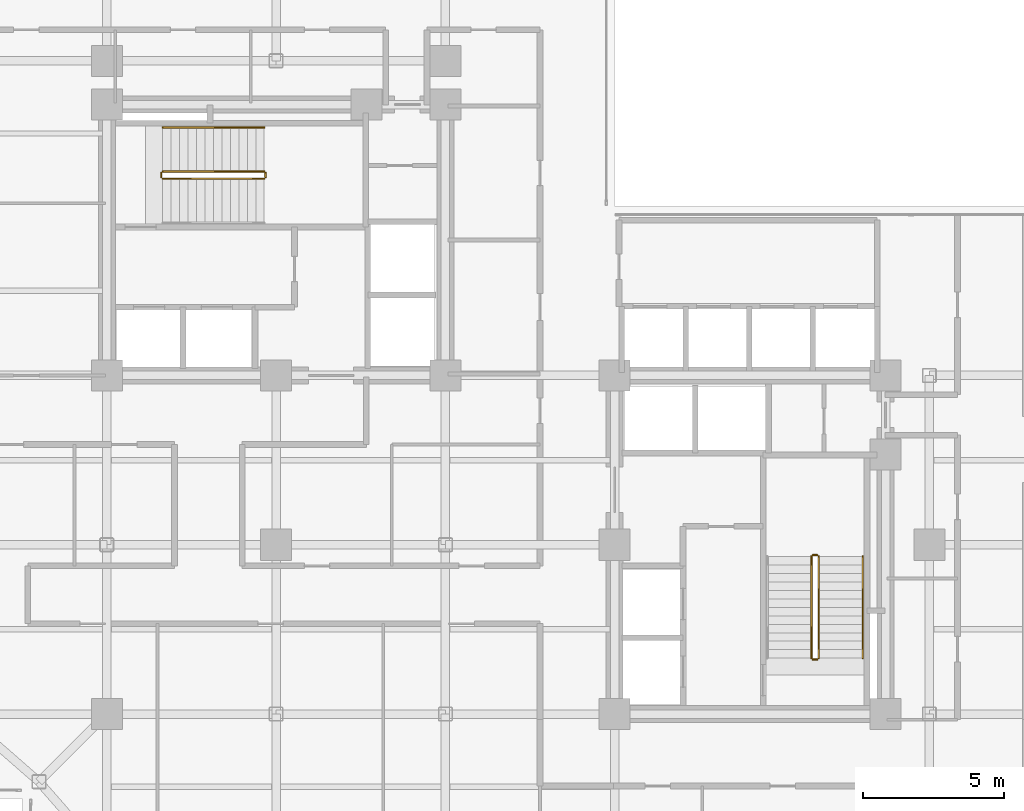
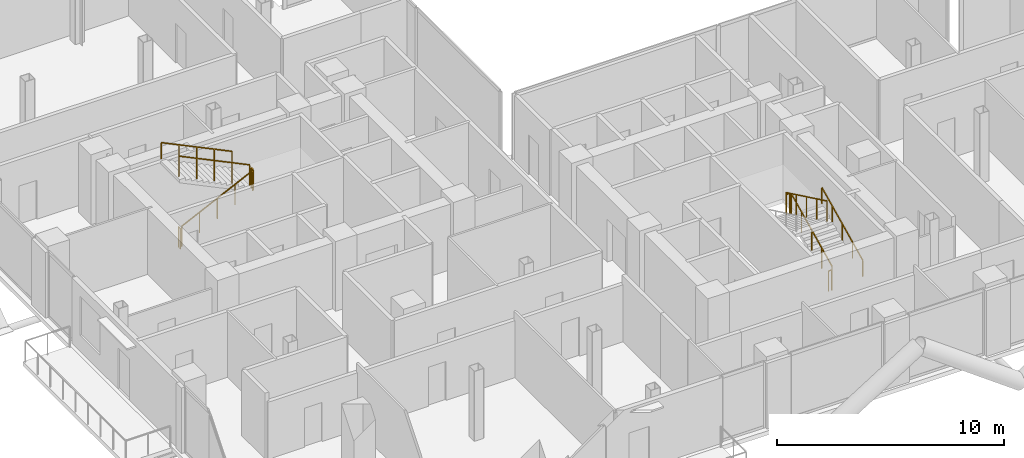
# One storey, part 24 of 24: 10 railings.
"""IFC4 building model written with IfcOpenShell, lengths in metres."""

from ifc_helpers import new_model, si_unit, direction, frame, origin, origin_2d, place, context, subcontext, project, spatial, rectangle, extrude, material, type_object, element, save


model = new_model("IFC4")

# Units and contexts
model_context = context("Model", 3, precision=1e-05, world=origin(), true_north=direction((0.0, 1.0)))
body_context = subcontext(model_context, "Body", "Model", "MODEL_VIEW")
ifc_project = project(units=[si_unit("LENGTHUNIT", "METRE"), si_unit("AREAUNIT", "SQUARE_METRE"), si_unit("VOLUMEUNIT", "CUBIC_METRE"), si_unit("PLANEANGLEUNIT", "RADIAN"), si_unit("MASSUNIT", "GRAM", prefix="KILO"), si_unit("THERMODYNAMICTEMPERATUREUNIT", "KELVIN"), si_unit("POWERUNIT", "WATT")], contexts=[model_context])

# Site, building, storey
site_placement = place(None, origin())
site = spatial("IfcSite", under=ifc_project, at=site_placement, CompositionType="ELEMENT")
building_placement = place(site_placement, origin())
building = spatial("IfcBuilding", under=site, at=building_placement, Name="Svarakhadi Broadcast Tower", CompositionType="ELEMENT")
storey_placement = place(building_placement, frame((0.0, 0.0, 145.64990234375)))
storey = spatial("IfcBuildingStorey", under=building, at=storey_placement, Name="L35", CompositionType="ELEMENT", Elevation=145.64990234375)

# Railings
ifc_material = material(Name="Anodised Bronze Aluminium AA 6063-T6", Category="aluminium")
railing_type_1 = type_object("IfcRailingType", Name="Guard_Stair_GR01", PredefinedType="GUARDRAIL", material=ifc_material)
railing_1_placement = place(storey_placement, frame((7.97998046875, 24.969970703125, 0.144287109375)))
element("IfcRailing", 1, at=railing_1_placement, inside=storey, type_object=railing_type_1, Name="L35 ST-01 stair guard 1", PredefinedType="GUARDRAIL", context=body_context, shape_type="SweptSolid", body=[
    extrude(rectangle(XDim=0.048095703125, YDim=0.048095703125, at=origin_2d()), frame((0.0, 0.0, 1.09619140625), z_axis=(0.901262522062, 0.0, 0.433273431364), x_axis=(0.0, 1.0, 0.0)), (0.0, 0.0, 1.0), 3.994384765625),
    extrude(rectangle(XDim=0.0419921875, YDim=0.0419921875, at=origin_2d()), origin(), (0.0, 0.0, 1.0), 1.072021484375),
    extrude(rectangle(XDim=0.0419921875, YDim=0.0419921875, at=origin_2d()), frame((0.89990234375, 0.0, 0.4326171875)), (0.0, 0.0, 1.0), 1.072021484375),
    extrude(rectangle(XDim=0.0419921875, YDim=0.0419921875, at=origin_2d()), frame((1.800048828125, 0.0, 0.865234375)), (0.0, 0.0, 1.0), 1.072021484375),
    extrude(rectangle(XDim=0.0419921875, YDim=0.0419921875, at=origin_2d()), frame((2.7001953125, 0.0, 1.298095703125)), (0.0, 0.0, 1.0), 1.072021484375),
    extrude(rectangle(XDim=0.0419921875, YDim=0.0419921875, at=origin_2d()), frame((3.60009765625, 0.0, 1.730712890625)), (0.0, 0.0, 1.0), 1.072021484375),
])
railing_2_placement = place(storey_placement, frame((11.6298828125, 25.02001953125, 1.875)))
element("IfcRailing", 2, at=railing_2_placement, inside=storey, type_object=railing_type_1, Name="L35 ST-01 stair guard 2", PredefinedType="GUARDRAIL", context=body_context, shape_type="SweptSolid", body=[
    extrude(rectangle(XDim=0.048095703125, YDim=0.048095703125, at=origin_2d()), frame((0.0, 0.0, 1.09619140625), z_axis=(0.0, 1.0, 0.0), x_axis=(-1.0, 0.0, 0.0)), (0.0, 0.0, 1.0), 0.159912109375),
    extrude(rectangle(XDim=0.0419921875, YDim=0.0419921875, at=origin_2d()), origin(), (0.0, 0.0, 1.0), 1.072021484375),
    extrude(rectangle(XDim=0.0419921875, YDim=0.0419921875, at=origin_2d()), frame((0.0, 0.159912109375, 0.0)), (0.0, 0.0, 1.0), 1.072021484375),
])
railing_3_placement = place(storey_placement, frame((11.580078125, 25.22998046875, 2.019287109375)))
element("IfcRailing", 3, at=railing_3_placement, inside=storey, type_object=railing_type_1, Name="L35 ST-01 stair guard 3", PredefinedType="GUARDRAIL", context=body_context, shape_type="SweptSolid", body=[
    extrude(rectangle(XDim=0.048095703125, YDim=0.048095703125, at=origin_2d()), frame((0.0, 0.0, 1.09619140625), z_axis=(-0.901262522062, 0.0, 0.433273431364), x_axis=(0.0, -1.0, 0.0)), (0.0, 0.0, 1.0), 3.994384765625),
    extrude(rectangle(XDim=0.0419921875, YDim=0.0419921875, at=origin_2d()), origin(), (0.0, 0.0, 1.0), 1.072021484375),
    extrude(rectangle(XDim=0.0419921875, YDim=0.0419921875, at=origin_2d()), frame((-0.89990234375, 0.0, 0.4326171875)), (0.0, 0.0, 1.0), 1.072021484375),
    extrude(rectangle(XDim=0.0419921875, YDim=0.0419921875, at=origin_2d()), frame((-1.800048828125, 0.0, 0.865234375)), (0.0, 0.0, 1.0), 1.072021484375),
    extrude(rectangle(XDim=0.0419921875, YDim=0.0419921875, at=origin_2d()), frame((-2.7001953125, 0.0, 1.298095703125)), (0.0, 0.0, 1.0), 1.072021484375),
    extrude(rectangle(XDim=0.0419921875, YDim=0.0419921875, at=origin_2d()), frame((-3.60009765625, 0.0, 1.730712890625)), (0.0, 0.0, 1.0), 1.072021484375),
])
railing_4_placement = place(storey_placement, frame((7.929931640625, 25.02001953125, 0.0)))
element("IfcRailing", 4, at=railing_4_placement, inside=storey, type_object=railing_type_1, Name="L35 ST-01 stair guard 4", PredefinedType="GUARDRAIL", context=body_context, shape_type="SweptSolid", body=[
    extrude(rectangle(XDim=0.048095703125, YDim=0.048095703125, at=origin_2d()), frame((0.0, 0.0, 1.09619140625), z_axis=(0.0, 1.0, 0.0), x_axis=(-1.0, 0.0, 0.0)), (0.0, 0.0, 1.0), 0.159912109375),
    extrude(rectangle(XDim=0.0419921875, YDim=0.0419921875, at=origin_2d()), origin(), (0.0, 0.0, 1.0), 1.072021484375),
    extrude(rectangle(XDim=0.0419921875, YDim=0.0419921875, at=origin_2d()), frame((0.0, 0.159912109375, 0.0)), (0.0, 0.0, 1.0), 1.072021484375),
])
railing_5_placement = place(storey_placement, frame((31.22998046875, 7.97998046875, 0.144287109375)))
element("IfcRailing", 5, at=railing_5_placement, inside=storey, type_object=railing_type_1, Name="L35 ST-02 stair guard 1", PredefinedType="GUARDRAIL", context=body_context, shape_type="SweptSolid", body=[
    extrude(rectangle(XDim=0.048095703125, YDim=0.048095703125, at=origin_2d()), frame((0.0, 0.0, 1.09619140625), z_axis=(0.0, 0.901262522062, 0.433273431364), x_axis=(-1.0, 0.0, 0.0)), (0.0, 0.0, 1.0), 3.994384765625),
    extrude(rectangle(XDim=0.0419921875, YDim=0.0419921875, at=origin_2d()), origin(), (0.0, 0.0, 1.0), 1.072021484375),
    extrude(rectangle(XDim=0.0419921875, YDim=0.0419921875, at=origin_2d()), frame((0.0, 0.89990234375, 0.4326171875)), (0.0, 0.0, 1.0), 1.072021484375),
    extrude(rectangle(XDim=0.0419921875, YDim=0.0419921875, at=origin_2d()), frame((0.0, 1.800048828125, 0.865234375)), (0.0, 0.0, 1.0), 1.072021484375),
    extrude(rectangle(XDim=0.0419921875, YDim=0.0419921875, at=origin_2d()), frame((0.0, 2.7001953125, 1.298095703125)), (0.0, 0.0, 1.0), 1.072021484375),
    extrude(rectangle(XDim=0.0419921875, YDim=0.0419921875, at=origin_2d()), frame((0.0, 3.60009765625, 1.730712890625)), (0.0, 0.0, 1.0), 1.072021484375),
])
railing_6_placement = place(storey_placement, frame((31.179931640625, 11.6298828125, 1.875)))
element("IfcRailing", 6, at=railing_6_placement, inside=storey, type_object=railing_type_1, Name="L35 ST-02 stair guard 2", PredefinedType="GUARDRAIL", context=body_context, shape_type="SweptSolid", body=[
    extrude(rectangle(XDim=0.048095703125, YDim=0.048095703125, at=origin_2d()), frame((0.0, 0.0, 1.09619140625), z_axis=(-1.0, 0.0, 0.0), x_axis=(0.0, -1.0, 0.0)), (0.0, 0.0, 1.0), 0.159912109375),
    extrude(rectangle(XDim=0.0419921875, YDim=0.0419921875, at=origin_2d()), origin(), (0.0, 0.0, 1.0), 1.072021484375),
    extrude(rectangle(XDim=0.0419921875, YDim=0.0419921875, at=origin_2d()), frame((-0.159912109375, 0.0, 0.0)), (0.0, 0.0, 1.0), 1.072021484375),
])
railing_7_placement = place(storey_placement, frame((30.969970703125, 11.580078125, 2.019287109375)))
element("IfcRailing", 7, at=railing_7_placement, inside=storey, type_object=railing_type_1, Name="L35 ST-02 stair guard 3", PredefinedType="GUARDRAIL", context=body_context, shape_type="SweptSolid", body=[
    extrude(rectangle(XDim=0.048095703125, YDim=0.048095703125, at=origin_2d()), frame((0.0, 0.0, 1.09619140625), z_axis=(0.0, -0.901262522062, 0.433273431364), x_axis=(1.0, 0.0, 0.0)), (0.0, 0.0, 1.0), 3.994384765625),
    extrude(rectangle(XDim=0.0419921875, YDim=0.0419921875, at=origin_2d()), origin(), (0.0, 0.0, 1.0), 1.072021484375),
    extrude(rectangle(XDim=0.0419921875, YDim=0.0419921875, at=origin_2d()), frame((0.0, -0.89990234375, 0.4326171875)), (0.0, 0.0, 1.0), 1.072021484375),
    extrude(rectangle(XDim=0.0419921875, YDim=0.0419921875, at=origin_2d()), frame((0.0, -1.800048828125, 0.865234375)), (0.0, 0.0, 1.0), 1.072021484375),
    extrude(rectangle(XDim=0.0419921875, YDim=0.0419921875, at=origin_2d()), frame((0.0, -2.7001953125, 1.298095703125)), (0.0, 0.0, 1.0), 1.072021484375),
    extrude(rectangle(XDim=0.0419921875, YDim=0.0419921875, at=origin_2d()), frame((0.0, -3.60009765625, 1.730712890625)), (0.0, 0.0, 1.0), 1.072021484375),
])
railing_8_placement = place(storey_placement, frame((31.179931640625, 7.929931640625, 0.0)))
element("IfcRailing", 8, at=railing_8_placement, inside=storey, type_object=railing_type_1, Name="L35 ST-02 stair guard 4", PredefinedType="GUARDRAIL", context=body_context, shape_type="SweptSolid", body=[
    extrude(rectangle(XDim=0.048095703125, YDim=0.048095703125, at=origin_2d()), frame((0.0, 0.0, 1.09619140625), z_axis=(-1.0, 0.0, 0.0), x_axis=(0.0, -1.0, 0.0)), (0.0, 0.0, 1.0), 0.159912109375),
    extrude(rectangle(XDim=0.0419921875, YDim=0.0419921875, at=origin_2d()), origin(), (0.0, 0.0, 1.0), 1.072021484375),
    extrude(rectangle(XDim=0.0419921875, YDim=0.0419921875, at=origin_2d()), frame((-0.159912109375, 0.0, 0.0)), (0.0, 0.0, 1.0), 1.072021484375),
])
railing_type_2 = type_object("IfcRailingType", Name="Handrail_Stair_HR01", PredefinedType="HANDRAIL", material=ifc_material)
railing_9_placement = place(storey_placement, frame((11.580078125, 26.7900390625, 2.019287109375)))
element("IfcRailing", 9, at=railing_9_placement, inside=storey, type_object=railing_type_2, Name="L35 ST-01 stair handrail 2", PredefinedType="HANDRAIL", context=body_context, shape_type="SweptSolid", body=[
    extrude(rectangle(XDim=0.048095703125, YDim=0.048095703125, at=origin_2d()), frame((0.0, 0.0, 0.8759765625), z_axis=(-0.901262522062, 0.0, 0.433273431364), x_axis=(0.0, -1.0, 0.0)), (0.0, 0.0, 1.0), 3.994384765625),
    extrude(rectangle(XDim=0.0419921875, YDim=0.0419921875, at=origin_2d()), origin(), (0.0, 0.0, 1.0), 0.851806640625),
    extrude(rectangle(XDim=0.0419921875, YDim=0.0419921875, at=origin_2d()), frame((-0.89990234375, 0.0, 0.4326171875)), (0.0, 0.0, 1.0), 0.851806640625),
    extrude(rectangle(XDim=0.0419921875, YDim=0.0419921875, at=origin_2d()), frame((-1.800048828125, 0.0, 0.865234375)), (0.0, 0.0, 1.0), 0.851806640625),
    extrude(rectangle(XDim=0.0419921875, YDim=0.0419921875, at=origin_2d()), frame((-2.7001953125, 0.0, 1.298095703125)), (0.0, 0.0, 1.0), 0.851806640625),
    extrude(rectangle(XDim=0.0419921875, YDim=0.0419921875, at=origin_2d()), frame((-3.60009765625, 0.0, 1.730712890625)), (0.0, 0.0, 1.0), 0.851806640625),
])
railing_10_placement = place(storey_placement, frame((32.7900390625, 7.97998046875, 0.144287109375)))
element("IfcRailing", 10, at=railing_10_placement, inside=storey, type_object=railing_type_2, Name="L35 ST-02 stair handrail 1", PredefinedType="HANDRAIL", context=body_context, shape_type="SweptSolid", body=[
    extrude(rectangle(XDim=0.048095703125, YDim=0.048095703125, at=origin_2d()), frame((0.0, 0.0, 0.8759765625), z_axis=(0.0, 0.901262522062, 0.433273431364), x_axis=(-1.0, 0.0, 0.0)), (0.0, 0.0, 1.0), 3.994384765625),
    extrude(rectangle(XDim=0.0419921875, YDim=0.0419921875, at=origin_2d()), origin(), (0.0, 0.0, 1.0), 0.851806640625),
    extrude(rectangle(XDim=0.0419921875, YDim=0.0419921875, at=origin_2d()), frame((0.0, 0.89990234375, 0.4326171875)), (0.0, 0.0, 1.0), 0.851806640625),
    extrude(rectangle(XDim=0.0419921875, YDim=0.0419921875, at=origin_2d()), frame((0.0, 1.800048828125, 0.865234375)), (0.0, 0.0, 1.0), 0.851806640625),
    extrude(rectangle(XDim=0.0419921875, YDim=0.0419921875, at=origin_2d()), frame((0.0, 2.7001953125, 1.298095703125)), (0.0, 0.0, 1.0), 0.851806640625),
    extrude(rectangle(XDim=0.0419921875, YDim=0.0419921875, at=origin_2d()), frame((0.0, 3.60009765625, 1.730712890625)), (0.0, 0.0, 1.0), 0.851806640625),
])

save(model, "model.ifc")
